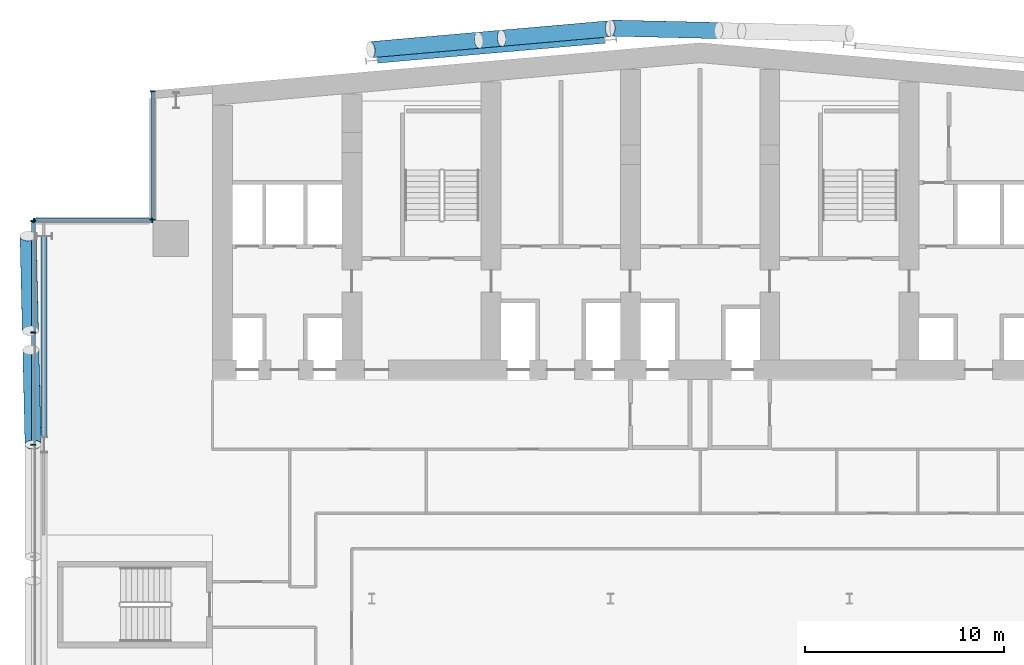
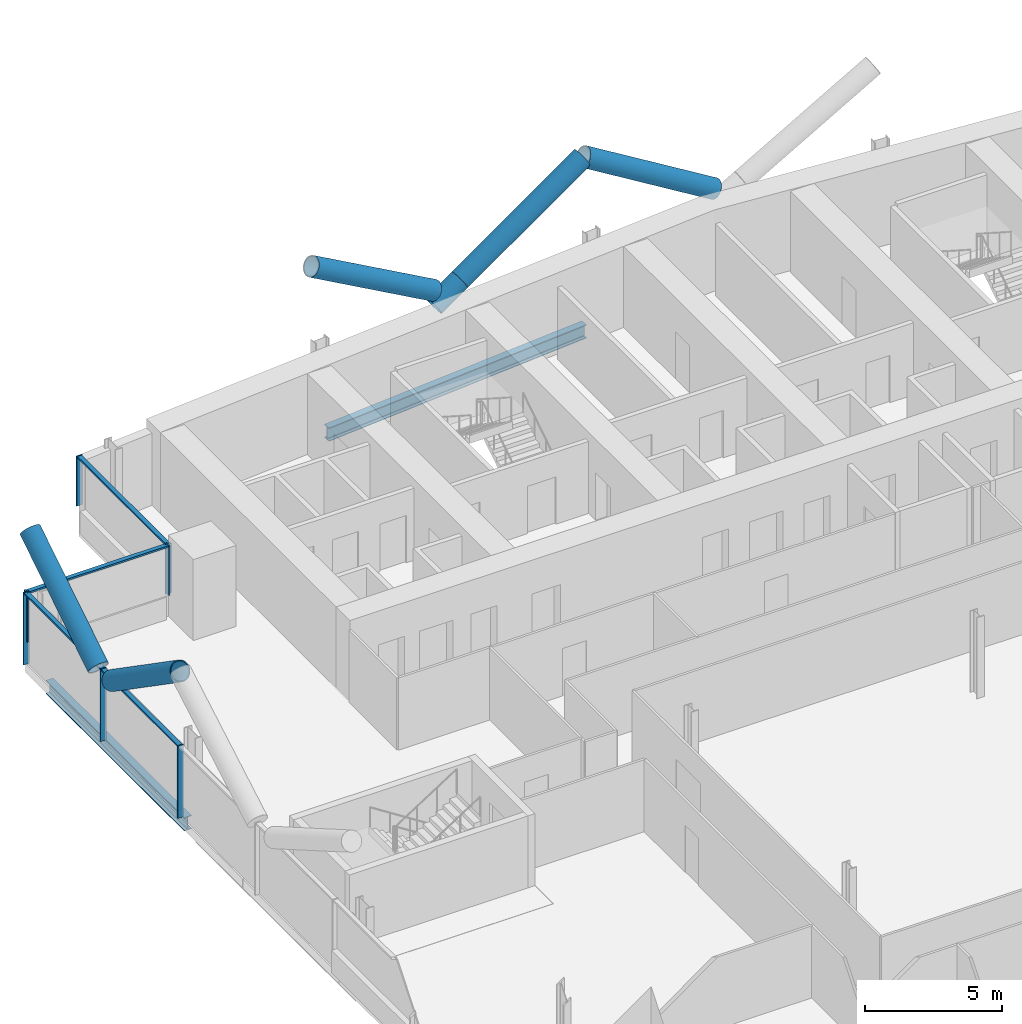
# One storey, part 8 of 31: 17 members, 2 beams, 3 elements without a shape of their own.
"""IFC4 building model written with IfcOpenShell, lengths in metres."""

from ifc_helpers import new_model, si_unit, direction, frame, origin, origin_2d, place, context, subcontext, project, spatial, rectangle, hollow_circle, i_section, extrude, material, material_profile, profile_set, type_object, element, aggregate, save


model = new_model("IFC4")

# Units and contexts
model_context = context("Model", 3, precision=1e-05, world=origin(), true_north=direction((0.0, 1.0)))
body_context = subcontext(model_context, "Body", "Model", "MODEL_VIEW")
ifc_project = project(units=[si_unit("LENGTHUNIT", "METRE"), si_unit("AREAUNIT", "SQUARE_METRE"), si_unit("VOLUMEUNIT", "CUBIC_METRE"), si_unit("PLANEANGLEUNIT", "RADIAN"), si_unit("MASSUNIT", "GRAM", prefix="KILO")], contexts=[model_context])

# Site, building, storey
site_placement = place(None, origin())
site = spatial("IfcSite", under=ifc_project, at=site_placement, CompositionType="ELEMENT")
building_placement = place(site_placement, origin())
building = spatial("IfcBuilding", under=site, at=building_placement, Name="Wharfspan Tower", CompositionType="ELEMENT")
storey_placement = place(building_placement, frame((0.0, 0.0, 103.899902)))
storey = spatial("IfcBuildingStorey", under=building, at=storey_placement, Name="L23", CompositionType="ELEMENT", Elevation=103.899902)

# Member
ifc_material_1 = material(Name="Steel S460NH", Category="steel")
ifc_material_profile_1 = material_profile(ifc_material_1, hollow_circle(Radius=0.406494, WallThickness=0.040039, at=origin_2d()))
ifc_profile_set_1 = profile_set([ifc_material_profile_1], Name="Steel S460NH")
member_type_1 = type_object("IfcMemberType", Name="Brace node tie CHS 813x40", PredefinedType="STRUT", material=ifc_profile_set_1)
member_1_placement = place(storey_placement, frame((29.381836, 51.056396, 2.55835), z_axis=(0.85511, 0.074756, 0.513029), x_axis=(-0.087089, 0.996197, -2e-06)))
element("IfcMember", 1, at=member_1_placement, inside=storey, type_object=member_type_1, Name="Brace node tie L23 N8", PredefinedType="STRUT", context=body_context, shape_type="SweptSolid", body=[
    extrude(hollow_circle(Radius=0.406494, WallThickness=0.040039, at=origin_2d()), origin(), (0.0, 0.0, 1.0), 1.33252),
])

# Beams
ifc_material_2 = material(Name="Steel S355J2", Category="steel")
ifc_material_profile_2 = material_profile(ifc_material_2, i_section(OverallWidth=0.300049, OverallDepth=0.600098, WebThickness=0.015381, FlangeThickness=0.030029, FilletRadius=0.0271, at=origin_2d()))
ifc_profile_set_2 = profile_set([ifc_material_profile_2], Name="Steel S355J2")
beam_type = type_object("IfcBeamType", Name="Edge beam HEB 600", PredefinedType="SPANDREL", material=ifc_profile_set_2)
beam_1_placement = place(storey_placement, frame((35.695068, 51.050537, -0.699951), z_axis=(-0.996194, -0.087162, 0.0), x_axis=(0.087162, -0.996194, 0.0)))
element("IfcBeam", 2, at=beam_1_placement, inside=storey, type_object=beam_type, Name="Edge beam N1 L23 R.2 to R.1", PredefinedType="SPANDREL", context=body_context, shape_type="SweptSolid", body=[
    extrude(i_section(OverallWidth=0.300049, OverallDepth=0.600098, WebThickness=0.015381, FlangeThickness=0.030029, FilletRadius=0.0271, at=origin_2d()), origin(), (0.0, 0.0, 1.0), 11.433594),
])
beam_2_placement = place(storey_placement, frame((7.544434, 41.201416, -0.699951), z_axis=(-0.000412, -1.0, 0.0), x_axis=(1.0, -0.000412, 0.0)))
element("IfcBeam", 3, at=beam_2_placement, inside=storey, type_object=beam_type, Name="Edge beam W L23 PNRW-H.1 to PW.1", PredefinedType="SPANDREL", context=body_context, shape_type="SweptSolid", body=[
    extrude(i_section(OverallWidth=0.300049, OverallDepth=0.600098, WebThickness=0.015381, FlangeThickness=0.030029, FilletRadius=0.0271, at=origin_2d()), origin(), (0.0, 0.0, 1.0), 10.065186),
])

# Curtain wall, members
ifc_material_3 = material(Name="Aluminium 6063-T6", Category="aluminium")
curtain_wall_type = type_object("IfcCurtainWallType", Name="CURTAIN WALL PROW AND END", PredefinedType="NOTDEFINED", material=ifc_material_3)
curtain_wall_1_placement = place(storey_placement, origin())
curtain_wall_1 = element("IfcCurtainWall", 4, at=curtain_wall_1_placement, inside=storey, type_object=curtain_wall_type, Name="Curtain wall NRW-V", PredefinedType="NOTDEFINED")
ifc_material_profile_3 = material_profile(ifc_material_3, rectangle(XDim=0.23999, YDim=0.060059, at=origin_2d()))
ifc_profile_set_3 = profile_set([ifc_material_profile_3], Name="Aluminium 6063-T6")
member_type_2 = type_object("IfcMemberType", Name="MULLION PROW AND END 60x240", PredefinedType="MULLION", material=ifc_profile_set_3)
member_2_placement = place(storey_placement, frame((13.0, 48.494873, 1.0), z_axis=(0.0, 0.0, 1.0), x_axis=(1.0, 0.0, 0.0)))
member_2 = element("IfcMember", 5, at=member_2_placement, type_object=member_type_2, Name="Curtain wall NRW-V mullion 1", PredefinedType="MULLION", context=body_context, shape_type="SweptSolid", body=[
    extrude(rectangle(XDim=0.23999, YDim=0.060059, at=origin_2d()), origin(), (0.0, 0.0, 1.0), 2.200195),
])
member_3_placement = place(storey_placement, frame((13.0, 42.030029, 1.0), z_axis=(0.0, 0.0, 1.0), x_axis=(1.0, 0.0, 0.0)))
member_3 = element("IfcMember", 6, at=member_3_placement, type_object=member_type_2, Name="Curtain wall NRW-V mullion 2", PredefinedType="MULLION", context=body_context, shape_type="SweptSolid", body=[
    extrude(rectangle(XDim=0.23999, YDim=0.060059, at=origin_2d()), origin(), (0.0, 0.0, 1.0), 2.200195),
])

curtain_wall_2_placement = place(storey_placement, origin())
curtain_wall_2 = element("IfcCurtainWall", 7, at=curtain_wall_2_placement, inside=storey, type_object=curtain_wall_type, Name="Curtain wall NRW-H", PredefinedType="NOTDEFINED")
member_4_placement = place(storey_placement, frame((12.969971, 42.0, 1.0), z_axis=(0.0, 0.0, 1.0), x_axis=(0.0, -1.0, 0.0)))
member_4 = element("IfcMember", 8, at=member_4_placement, type_object=member_type_2, Name="Curtain wall NRW-H mullion 1", PredefinedType="MULLION", context=body_context, shape_type="SweptSolid", body=[
    extrude(rectangle(XDim=0.23999, YDim=0.060059, at=origin_2d()), origin(), (0.0, 0.0, 1.0), 2.200195),
])
member_5_placement = place(storey_placement, frame((7.030029, 42.0, 1.0), z_axis=(0.0, 0.0, 1.0), x_axis=(0.0, -1.0, 0.0)))
member_5 = element("IfcMember", 9, at=member_5_placement, type_object=member_type_2, Name="Curtain wall NRW-H mullion 2", PredefinedType="MULLION", context=body_context, shape_type="SweptSolid", body=[
    extrude(rectangle(XDim=0.23999, YDim=0.060059, at=origin_2d()), origin(), (0.0, 0.0, 1.0), 2.200195),
])

curtain_wall_3_placement = place(storey_placement, origin())
curtain_wall_3 = element("IfcCurtainWall", 10, at=curtain_wall_3_placement, inside=storey, type_object=curtain_wall_type, Name="Curtain wall W", PredefinedType="NOTDEFINED")
member_6_placement = place(storey_placement, frame((7.0, 41.969971, 0.0), z_axis=(0.0, 0.0, 1.0), x_axis=(1.0, 0.0, 0.0)))
member_6 = element("IfcMember", 11, at=member_6_placement, type_object=member_type_2, Name="Curtain wall W mullion 1", PredefinedType="MULLION", context=body_context, shape_type="SweptSolid", body=[
    extrude(rectangle(XDim=0.23999, YDim=0.060059, at=origin_2d()), origin(), (0.0, 0.0, 1.0), 3.200195),
])
member_7_placement = place(storey_placement, frame((7.0, 36.366699, 0.0), z_axis=(0.0, 0.0, 1.0), x_axis=(1.0, 0.0, 0.0)))
member_7 = element("IfcMember", 12, at=member_7_placement, type_object=member_type_2, Name="Curtain wall W mullion 2", PredefinedType="MULLION", context=body_context, shape_type="SweptSolid", body=[
    extrude(rectangle(XDim=0.23999, YDim=0.060059, at=origin_2d()), origin(), (0.0, 0.0, 1.0), 3.200195),
])
member_8_placement = place(storey_placement, frame((7.0, 30.733398, 0.0), z_axis=(0.0, 0.0, 1.0), x_axis=(1.0, 0.0, 0.0)))
member_8 = element("IfcMember", 13, at=member_8_placement, type_object=member_type_2, Name="Curtain wall W mullion 3", PredefinedType="MULLION", context=body_context, shape_type="SweptSolid", body=[
    extrude(rectangle(XDim=0.23999, YDim=0.060059, at=origin_2d()), origin(), (0.0, 0.0, 1.0), 3.200195),
])

# Members
ifc_material_profile_4 = material_profile(ifc_material_1, hollow_circle(Radius=0.406494, WallThickness=0.040039, at=origin_2d()))
ifc_profile_set_4 = profile_set([ifc_material_profile_4], Name="Steel S460NH")
member_type_3 = type_object("IfcMemberType", Name="Mega brace CHS 813x40", PredefinedType="BRACE", material=ifc_profile_set_4)
member_9_placement = place(storey_placement, frame((6.871094, 35.486084, 3.233154), z_axis=(0.019766, -0.823932, 0.566344), x_axis=(0.999712, 0.023985, 3e-06)))
element("IfcMember", 14, at=member_9_placement, inside=storey, type_object=member_type_3, Name="Mega brace W4 L23 part 2", PredefinedType="BRACE", context=body_context, shape_type="SweptSolid", body=[
    extrude(hollow_circle(Radius=0.406494, WallThickness=0.040039, at=origin_2d()), origin(), (0.0, 0.0, 1.0), 5.768311),
])
member_10_placement = place(storey_placement, frame((6.8479, 36.455078, 3.233154), z_axis=(-0.019723, 0.823946, 0.566325), x_axis=(-0.999713, -0.023929, -2e-06)))
element("IfcMember", 15, at=member_10_placement, inside=storey, type_object=member_type_3, Name="Mega brace W4 L23 part 4", PredefinedType="BRACE", context=body_context, shape_type="SweptSolid", body=[
    extrude(hollow_circle(Radius=0.406494, WallThickness=0.040039, at=origin_2d()), origin(), (0.0, 0.0, 1.0), 5.768555),
])
member_11_placement = place(storey_placement, frame((41.435059, 51.541504, 3.246582), z_axis=(-0.857317, 0.019649, 0.514413), x_axis=(-0.022912, -0.999739, 2e-06)))
element("IfcMember", 16, at=member_11_placement, inside=storey, type_object=member_type_3, Name="Mega brace N7 L23 part 4", PredefinedType="BRACE", context=body_context, shape_type="SweptSolid", body=[
    extrude(hollow_circle(Radius=0.406494, WallThickness=0.040039, at=origin_2d()), origin(), (0.0, 0.0, 1.0), 6.324463),
])
member_12_placement = place(storey_placement, frame((30.529785, 51.156738, 3.24707), z_axis=(0.855103, 0.074814, 0.513031), x_axis=(-0.087159, 0.996196, 1e-06)))
element("IfcMember", 17, at=member_12_placement, inside=storey, type_object=member_type_3, Name="Mega brace N8 L23 part 2", PredefinedType="BRACE", context=body_context, shape_type="SweptSolid", body=[
    extrude(hollow_circle(Radius=0.406494, WallThickness=0.040039, at=origin_2d()), origin(), (0.0, 0.0, 1.0), 6.340576),
])
member_13_placement = place(storey_placement, frame((29.373291, 51.05542, 3.24707), z_axis=(-0.855096, -0.074778, 0.51305), x_axis=(0.087117, -0.996194, 0.0)))
element("IfcMember", 18, at=member_13_placement, inside=storey, type_object=member_type_3, Name="Mega brace N8 L23 part 4", PredefinedType="BRACE", context=body_context, shape_type="SweptSolid", body=[
    extrude(hollow_circle(Radius=0.406494, WallThickness=0.040039, at=origin_2d()), origin(), (0.0, 0.0, 1.0), 6.340332),
])

# Member
ifc_material_profile_5 = material_profile(ifc_material_3, rectangle(XDim=0.179932, YDim=0.080078, at=origin_2d()))
ifc_profile_set_5 = profile_set([ifc_material_profile_5], Name="Aluminium 6063-T6")
member_type_4 = type_object("IfcMemberType", Name="TRANSOM PROW AND END 80x180", PredefinedType="USERDEFINED", material=ifc_profile_set_5)
member_14_placement = place(storey_placement, frame((13.0, 48.464844, 3.160156), z_axis=(0.0, -1.0, 0.0), x_axis=(1.0, 0.0, 0.0)))
member_14 = element("IfcMember", 19, at=member_14_placement, type_object=member_type_4, Name="Curtain wall NRW-V transom 1", ObjectType="TRANSOM", PredefinedType="USERDEFINED", context=body_context, shape_type="SweptSolid", body=[
    extrude(rectangle(XDim=0.179932, YDim=0.080078, at=origin_2d()), origin(), (0.0, 0.0, 1.0), 6.404785),
])

aggregate(curtain_wall_1, [member_2, member_3, member_14])

member_15_placement = place(storey_placement, frame((12.939941, 42.0, 3.160156), z_axis=(-1.0, 0.0, 0.0), x_axis=(0.0, -1.0, 0.0)))
member_15 = element("IfcMember", 20, at=member_15_placement, type_object=member_type_4, Name="Curtain wall NRW-H transom 1", ObjectType="TRANSOM", PredefinedType="USERDEFINED", context=body_context, shape_type="SweptSolid", body=[
    extrude(rectangle(XDim=0.179932, YDim=0.080078, at=origin_2d()), origin(), (0.0, 0.0, 1.0), 5.879883),
])

aggregate(curtain_wall_2, [member_4, member_5, member_15])

member_16_placement = place(storey_placement, frame((7.0, 41.939941, 3.160156), z_axis=(0.0, -1.0, 0.0), x_axis=(1.0, 0.0, 0.0)))
member_16 = element("IfcMember", 21, at=member_16_placement, type_object=member_type_4, Name="Curtain wall W transom 1", ObjectType="TRANSOM", PredefinedType="USERDEFINED", context=body_context, shape_type="SweptSolid", body=[
    extrude(rectangle(XDim=0.179932, YDim=0.080078, at=origin_2d()), origin(), (0.0, 0.0, 1.0), 5.543213),
])

member_17_placement = place(storey_placement, frame((7.0, 36.33667, 3.160156), z_axis=(0.0, -1.0, 0.0), x_axis=(1.0, 0.0, 0.0)))
member_17 = element("IfcMember", 22, at=member_17_placement, type_object=member_type_4, Name="Curtain wall W transom 2", ObjectType="TRANSOM", PredefinedType="USERDEFINED", context=body_context, shape_type="SweptSolid", body=[
    extrude(rectangle(XDim=0.179932, YDim=0.080078, at=origin_2d()), origin(), (0.0, 0.0, 1.0), 5.573242),
])

aggregate(curtain_wall_3, [member_6, member_7, member_8, member_16, member_17])

save(model, "model.ifc")
